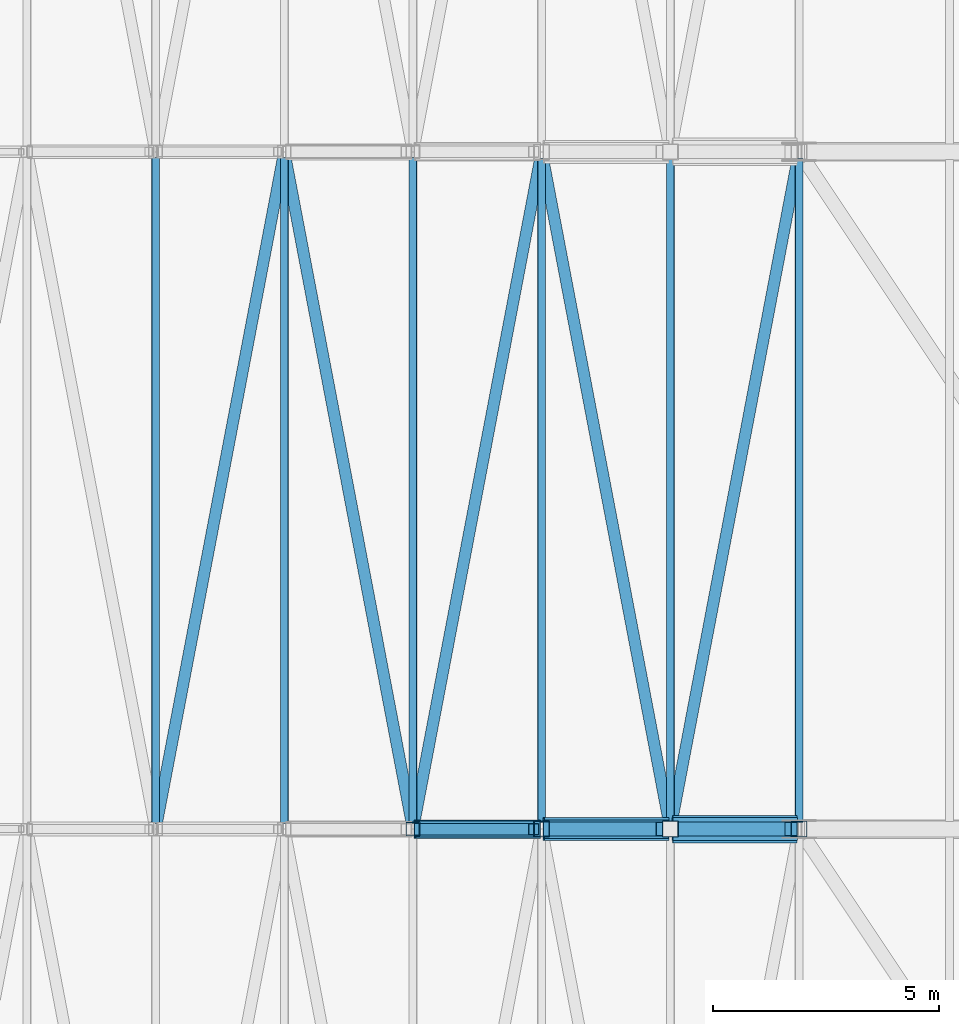
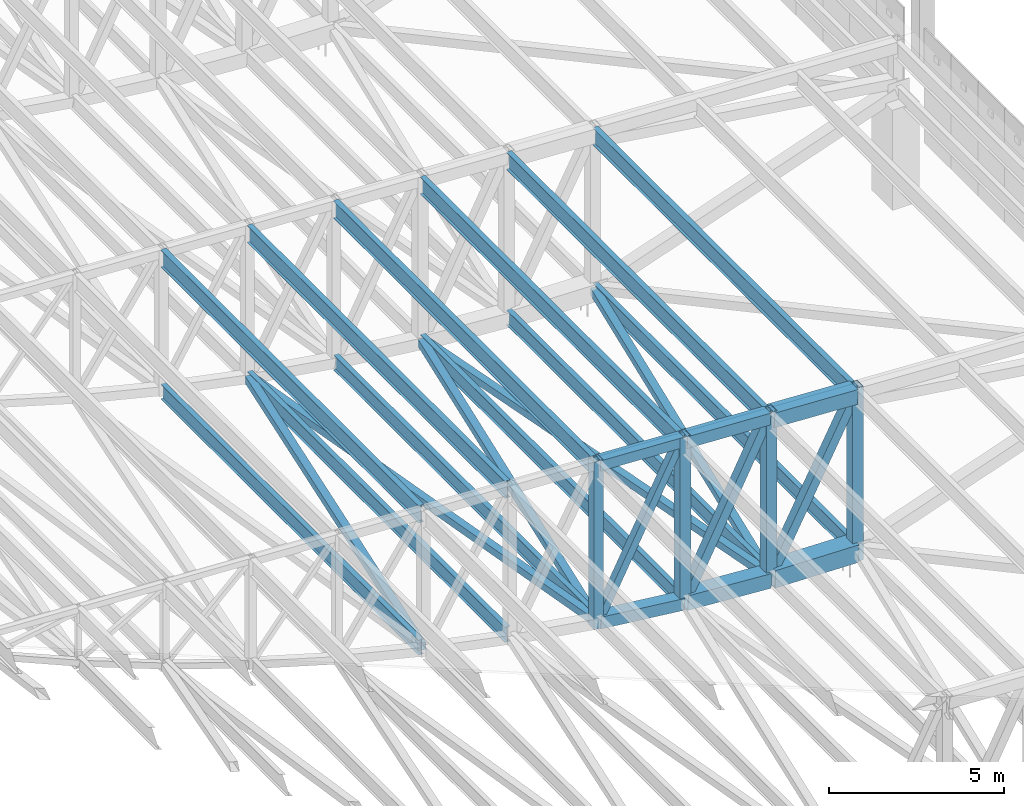
# One storey, part 54 of 278: 20 members, 10 beams.
"""IFC4 building model written with IfcOpenShell, lengths in metres."""

import ifcopenshell
import ifcopenshell.guid

model = None  # the IFC model being written
_history = None  # IfcOwnerHistory: only IFC2X3 demands one
_inside = {}  # id of a spatial element -> (the spatial element, [elements in it])
_under = {}  # id of a project, library or spatial element -> (it, [spatial elements below it])
_declared = {}  # id of a project -> (the project, [libraries it declares])
_typed = {}  # id of a type object -> (the type object, [elements of that type])
_made_of = {}  # id of a material, layer set ... -> (it, [elements and type objects made of it])


def new_model(schema):
    """Start an empty IFC model of exactly this schema.

    Asked for "IFC4X3", IfcOpenShell would pick the latest addendum, in which some entities
    have other attributes; the version numbers below select the first issue.
    IFC2X3 requires an IfcOwnerHistory on every rooted entity: one is made here for all.
    """
    global model, _history
    if schema == "IFC4X3":
        model = ifcopenshell.file(schema_version=(4, 3, 0, 0))
    else:
        model = ifcopenshell.file(schema=schema)
    _inside.clear()
    _under.clear()
    _declared.clear()
    _typed.clear()
    _made_of.clear()
    _history = None
    if model.schema == "IFC2X3":
        org = make("IfcOrganization", Name="unknown")
        user = make(
            "IfcPersonAndOrganization",
            ThePerson=make("IfcPerson", FamilyName="unknown"),
            TheOrganization=org,
        )
        app = make(
            "IfcApplication",
            ApplicationDeveloper=org,
            Version="unknown",
            ApplicationFullName="unknown",
            ApplicationIdentifier="unknown",
        )
        _history = make(
            "IfcOwnerHistory",
            OwningUser=user,
            OwningApplication=app,
            ChangeAction="ADDED",
            CreationDate=0,
        )
    return model


def make(cls, **values):
    """One entity of the class cls with the attributes given. An attribute that is None is left unset."""
    return model.create_entity(
        cls, **{name: value for name, value in values.items() if value is not None}
    )


def rooted(cls, **values):
    """An entity with a GlobalId (a new one), such as an element, a storey or a relation."""
    return make(cls, GlobalId=ifcopenshell.guid.new(), OwnerHistory=_history, **values)


def si_unit(unit_type, name, prefix=None):
    """IfcSIUnit, for example si_unit("LENGTHUNIT", "METRE", prefix="MILLI")."""
    return make("IfcSIUnit", UnitType=unit_type, Prefix=prefix, Name=name)


def assignment(units):
    """IfcUnitAssignment: the units of a project."""
    return None if units is None else make("IfcUnitAssignment", Units=units)


def point(xyz):
    """IfcCartesianPoint."""
    return None if xyz is None else make("IfcCartesianPoint", Coordinates=xyz)


def direction(xyz):
    """IfcDirection."""
    return None if xyz is None else make("IfcDirection", DirectionRatios=xyz)


def frame(location, z_axis=None, x_axis=None):
    """IfcAxis2Placement3D, a coordinate frame: its origin and axes. An axis left out is left unset."""
    return make(
        "IfcAxis2Placement3D",
        Location=point(location),
        Axis=direction(z_axis),
        RefDirection=direction(x_axis),
    )


def frame_2d(location, x_axis=None):
    """IfcAxis2Placement2D, a coordinate frame in the plane: its origin and x axis."""
    return make(
        "IfcAxis2Placement2D", Location=point(location), RefDirection=direction(x_axis)
    )


def origin():
    """The frame at (0, 0, 0) with its axes left unset."""
    return frame((0.0, 0.0, 0.0))


def origin_2d():
    """The frame at (0, 0) in the plane with its x axis left unset."""
    return frame_2d((0.0, 0.0))


def place(relative_to, where):
    """IfcLocalPlacement: puts the frame where relative to a parent placement (None: the world)."""
    return make(
        "IfcLocalPlacement", PlacementRelTo=relative_to, RelativePlacement=where
    )


def context(
    kind, dimensions, precision=None, world=None, true_north=None, identifier=None
):
    """IfcGeometricRepresentationContext, for example the 3D "Model" context."""
    return make(
        "IfcGeometricRepresentationContext",
        ContextIdentifier=identifier,
        ContextType=kind,
        CoordinateSpaceDimension=dimensions,
        Precision=precision,
        WorldCoordinateSystem=world,
        TrueNorth=true_north,
    )


def subcontext(parent, identifier, kind, view, scale=None):
    """IfcGeometricRepresentationSubContext, for example "Body" below "Model"."""
    return make(
        "IfcGeometricRepresentationSubContext",
        ContextIdentifier=identifier,
        ContextType=kind,
        ParentContext=parent,
        TargetScale=scale,
        TargetView=view,
    )


def project(units=None, contexts=None):
    """IfcProject with its units and contexts."""
    return rooted(
        "IfcProject",
        Name="project",
        RepresentationContexts=contexts,
        UnitsInContext=assignment(units),
    )


def spatial(cls, under=None, at=None, **own):
    """A site, building, storey or space (cls), placed at a placement, below another one or the project."""
    s = rooted(cls, ObjectPlacement=at, **own)
    if under is not None:
        _under.setdefault(under.id(), (under, []))[1].append(s)
    return s


def profile(cls, at=None, kind="AREA", **sizes):
    """A parametric profile (cls). Its sizes go by their IFC names, for example OverallWidth=200.0."""
    return make(cls, ProfileType=kind, Position=at, **sizes)


def hollow_rectangle(**sizes):
    """IfcRectangleHollowProfileDef."""
    return profile("IfcRectangleHollowProfileDef", **sizes)


def i_section(**sizes):
    """IfcIShapeProfileDef."""
    return profile("IfcIShapeProfileDef", **sizes)


def extrude(swept, where, along, depth):
    """IfcExtrudedAreaSolid: the profile swept, set in the frame where, extruded along a direction by depth."""
    return make(
        "IfcExtrudedAreaSolid",
        SweptArea=swept,
        Position=where,
        ExtrudedDirection=direction(along),
        Depth=depth,
    )


def shape(context_of_items, identifier, shape_type, items):
    """IfcShapeRepresentation: the items that make up one representation, for example the "Body"."""
    return make(
        "IfcShapeRepresentation",
        ContextOfItems=context_of_items,
        RepresentationIdentifier=identifier,
        RepresentationType=shape_type,
        Items=items,
    )


def material(Name=None, Category=None):
    """IfcMaterial."""
    return make("IfcMaterial", Name=Name, Category=Category)


def material_profile(
    of_material, cross_section, Name=None, Category=None, Priority=None
):
    """IfcMaterialProfile: a cross section and its material."""
    return make(
        "IfcMaterialProfile",
        Name=Name,
        Material=of_material,
        Profile=cross_section,
        Priority=Priority,
        Category=Category,
    )


def profile_set(profiles, Name=None, composite=None):
    """IfcMaterialProfileSet."""
    return make(
        "IfcMaterialProfileSet",
        Name=Name,
        MaterialProfiles=profiles,
        CompositeProfile=composite,
    )


def made_of(thing, what):
    """Note that an element or type object is made of a material, layer set ...; save() writes the relation."""
    if what is not None:
        _made_of.setdefault(what.id(), (what, []))[1].append(thing)
    return thing


def type_object(cls, material=None, **own):
    """A type object (cls), such as IfcWallType, which elements share."""
    return made_of(rooted(cls, **own), material)


def element(
    cls,
    number,
    at=None,
    inside=None,
    cuts=None,
    type_object=None,
    material=None,
    context=None,
    identifier="Body",
    shape_type=None,
    held_by="IfcProductDefinitionShape",
    body=None,
    shapes=None,
    **own,
):
    """One element of the class cls, such as IfcWall. Its Tag is "e" and its number.

    at: its placement. inside: the storey or other place that contains it. cuts: it is an
    opening in that element (IfcRelVoidsElement). A single representation is given by context,
    identifier, shape_type and body (its items); several are given by shapes. held_by: the class
    of the entity that holds the representations. save() writes the other relations.
    """
    e = rooted(cls, Tag="e%d" % number, ObjectPlacement=at, **own)
    if body is not None:
        shapes = [shape(context, identifier, shape_type, body)]
    if shapes is not None:
        e.Representation = make(held_by, Representations=shapes)
    if inside is not None:
        _inside.setdefault(inside.id(), (inside, []))[1].append(e)
    if cuts is not None:
        rooted(
            "IfcRelVoidsElement", RelatingBuildingElement=cuts, RelatedOpeningElement=e
        )
    if type_object is not None:
        _typed.setdefault(type_object.id(), (type_object, []))[1].append(e)
    return made_of(e, material)


def aggregate(whole, parts):
    """IfcRelAggregates: a whole, such as a stair, and the parts it consists of."""
    return rooted("IfcRelAggregates", RelatingObject=whole, RelatedObjects=parts)


def save(model, path):
    """Write the relations noted so far, then the file.

    IfcRelAggregates (storeys below a building ...), IfcRelContainedInSpatialStructure (elements
    in a storey), IfcRelDefinesByType, IfcRelAssociatesMaterial and IfcRelDeclares: one each for
    every whole, place, type object, material and project.
    """
    for whole, parts in _under.values():
        aggregate(whole, parts)
    for where, things in _inside.values():
        rooted(
            "IfcRelContainedInSpatialStructure",
            RelatedElements=things,
            RelatingStructure=where,
        )
    for kind, things in _typed.values():
        rooted("IfcRelDefinesByType", RelatedObjects=things, RelatingType=kind)
    for what, things in _made_of.values():
        rooted("IfcRelAssociatesMaterial", RelatedObjects=things, RelatingMaterial=what)
    for by, libraries in _declared.values():
        rooted("IfcRelDeclares", RelatingContext=by, RelatedDefinitions=libraries)
    model.write(path)


model = new_model("IFC4")

# Units and contexts
model_context = context("Model", 3, precision=1e-05, world=origin(), true_north=direction((0.0, 1.0)))
body_context = subcontext(model_context, "Body", "Model", "MODEL_VIEW")
ifc_project = project(units=[si_unit("LENGTHUNIT", "METRE"), si_unit("AREAUNIT", "SQUARE_METRE"), si_unit("VOLUMEUNIT", "CUBIC_METRE"), si_unit("PLANEANGLEUNIT", "RADIAN"), si_unit("MASSUNIT", "GRAM", prefix="KILO")], contexts=[model_context])

# Site, building, storey
site_placement = place(None, origin())
site = spatial("IfcSite", under=ifc_project, at=site_placement, CompositionType="ELEMENT")
building_placement = place(site_placement, origin())
building = spatial("IfcBuilding", under=site, at=building_placement, Name="Ogive Plaza Stadium", CompositionType="ELEMENT")
storey_placement = place(building_placement, frame((0.0, 0.0, 29.0)))
storey = spatial("IfcBuildingStorey", under=building, at=storey_placement, Name="Roof", CompositionType="ELEMENT", Elevation=29.0)

# Members
ifc_material_1 = material(Name="Steel ASTM A500 Grade C", Category="steel")
ifc_material_profile_1 = material_profile(ifc_material_1, hollow_rectangle(XDim=0.25390625, YDim=0.25390625, WallThickness=0.0087890625, at=origin_2d()), Name="HSS10X10X3/8")
ifc_profile_set_1 = profile_set([ifc_material_profile_1], Name="Steel ASTM A500 Grade C")
member_type_1 = type_object("IfcMemberType", Name="Roof plan brace HSS10X10X3/8", PredefinedType="BRACE", material=ifc_profile_set_1)
member_1_placement = place(storey_placement, frame((59.77783203125, -37.353271484375, 1.753173828125), z_axis=(0.186534960176, 0.981781820104, -0.036182403809), x_axis=(-0.982425109661, 0.186657182843, 0.0)))
element("IfcMember", 1, at=member_1_placement, inside=storey, type_object=member_type_1, Name="ROOF BRACE B06 6", PredefinedType="BRACE", context=body_context, shape_type="SweptSolid", body=[
    extrude(hollow_rectangle(XDim=0.25390625, YDim=0.25390625, WallThickness=0.0087890625, at=origin_2d()), origin(), (0.0, 0.0, 1.0), 14.9794921875),
])
member_2_placement = place(storey_placement, frame((62.6279296875, -22.646728515625, 1.20166015625), z_axis=(0.186585145076, -0.982045956233, -0.027779911508), x_axis=(0.982425109661, 0.186657182843, 0.0)))
element("IfcMember", 2, at=member_2_placement, inside=storey, type_object=member_type_1, Name="ROOF BRACE B06 7", PredefinedType="BRACE", context=body_context, shape_type="SweptSolid", body=[
    extrude(hollow_rectangle(XDim=0.25390625, YDim=0.25390625, WallThickness=0.0087890625, at=origin_2d()), origin(), (0.0, 0.0, 1.0), 14.975341796875),
])
member_3_placement = place(storey_placement, frame((65.477783203125, -37.353271484375, 0.77880859375), z_axis=(0.186639895054, 0.982268812283, -0.017706778071), x_axis=(-0.982422833867, 0.186669160538, 0.0)))
element("IfcMember", 3, at=member_3_placement, inside=storey, type_object=member_type_1, Name="ROOF BRACE B06 8", PredefinedType="BRACE", context=body_context, shape_type="SweptSolid", body=[
    extrude(hollow_rectangle(XDim=0.25390625, YDim=0.25390625, WallThickness=0.0087890625, at=origin_2d()), origin(), (0.0, 0.0, 1.0), 14.946044921875),
])
member_4_placement = place(storey_placement, frame((68.332763671875, -22.672119140625, 0.50927734375), z_axis=(0.186657320186, -0.982381109131, -0.009295226886), x_axis=(0.982423551356, 0.186665384421, 0.0)))
element("IfcMember", 4, at=member_4_placement, inside=storey, type_object=member_type_1, Name="ROOF BRACE B06 9", PredefinedType="BRACE", context=body_context, shape_type="SweptSolid", body=[
    extrude(hollow_rectangle(XDim=0.25390625, YDim=0.25390625, WallThickness=0.0087890625, at=origin_2d()), origin(), (0.0, 0.0, 1.0), 14.918701171875),
])
member_5_placement = place(storey_placement, frame((71.1826171875, -37.327880859375, 0.368408203125), z_axis=(0.186663720517, 0.982414794197, -0.004222272479), x_axis=(-0.982423551356, 0.186665384421, 0.0)))
element("IfcMember", 5, at=member_5_placement, inside=storey, type_object=member_type_1, Name="ROOF BRACE B06 10", PredefinedType="BRACE", context=body_context, shape_type="SweptSolid", body=[
    extrude(hollow_rectangle(XDim=0.25390625, YDim=0.25390625, WallThickness=0.0087890625, at=origin_2d()), origin(), (0.0, 0.0, 1.0), 14.918212890625),
])
ifc_material_2 = material(Name="Steel ASTM A992 Grade 50", Category="steel")
ifc_material_profile_2 = material_profile(ifc_material_2, i_section(OverallWidth=0.1650390625, OverallDepth=0.524658203125, WebThickness=0.0087890625, FlangeThickness=0.011474609375, at=origin_2d()), Name="W21X44")
ifc_profile_set_2 = profile_set([ifc_material_profile_2], Name="Steel ASTM A992 Grade 50")
member_type_2 = type_object("IfcMemberType", Name="Roof plan strut W21X44", PredefinedType="STRUT", material=ifc_profile_set_2)
for number, where, z_axis, x_axis, name in (
    (6, (59.75, -22.622314453125, 1.758544921875), (0.0, -1.0, 0.0), (1.0, 0.0, 0.0), "ROOF STRUT B06 5"),
    (7, (62.60009765625, -22.622314453125, 1.205810546875), (0.0, -1.0, 0.0), (1.0, 0.0, 0.0), "ROOF STRUT B06 6"),
    (8, (65.449951171875, -22.622314453125, 0.781494140625), (0.0, -1.0, 0.0), (1.0, 0.0, 0.0), "ROOF STRUT B06 7"),
):
    element("IfcMember", number, at=place(storey_placement, frame(where, z_axis=z_axis, x_axis=x_axis)), inside=storey, type_object=member_type_2, Name=name, PredefinedType="STRUT", context=body_context, shape_type="SweptSolid", body=[
        extrude(i_section(OverallWidth=0.1650390625, OverallDepth=0.524658203125, WebThickness=0.0087890625, FlangeThickness=0.011474609375, at=origin_2d()), origin(), (0.0, 0.0, 1.0), 14.75537109375),
    ])
for number, where, z_axis, x_axis, name in (
    (9, (68.300048828125, -22.647705078125, 0.510986328125), (0.0, -1.0, 0.0), (1.0, 0.0, 0.0), "ROOF STRUT B06 8"),
    (10, (71.14990234375, -22.647705078125, 0.369140625), (0.0, -1.0, 0.0), (1.0, 0.0, 0.0), "ROOF STRUT B06 9"),
    (11, (74.0, -22.647705078125, 0.3046875), (0.0, -1.0, 0.0), (1.0, 0.0, 0.0), "ROOF STRUT B06 10"),
):
    element("IfcMember", number, at=place(storey_placement, frame(where, z_axis=z_axis, x_axis=x_axis)), inside=storey, type_object=member_type_2, Name=name, PredefinedType="STRUT", context=body_context, shape_type="SweptSolid", body=[
        extrude(i_section(OverallWidth=0.1650390625, OverallDepth=0.524658203125, WebThickness=0.0087890625, FlangeThickness=0.011474609375, at=origin_2d()), origin(), (0.0, 0.0, 1.0), 14.70458984375),
    ])
ifc_material_3 = material(Name="Steel ASTM A992 Grade 50", Category="steel")
ifc_material_profile_3 = material_profile(ifc_material_3, i_section(OverallWidth=0.177978515625, OverallDepth=0.5986328125, WebThickness=0.010009765625, FlangeThickness=0.012939453125, at=origin_2d()), Name="W24X55")
ifc_profile_set_3 = profile_set([ifc_material_profile_3], Name="Steel ASTM A992 Grade 50")
member_type_3 = type_object("IfcMemberType", Name="Roof purlin W24X55", PredefinedType="PURLIN", material=ifc_profile_set_3)
for number, where, z_axis, x_axis, name in (
    (12, (59.75, -22.622314453125, 6.4130859375), (0.0, -1.0, 0.0), (1.0, 0.0, 0.0), "ROOF PURLIN B06 5"),
    (13, (62.60009765625, -22.622314453125, 6.270751953125), (0.0, -1.0, 0.0), (1.0, 0.0, 0.0), "ROOF PURLIN B06 6"),
    (14, (65.449951171875, -22.622314453125, 6.128173828125), (0.0, -1.0, 0.0), (1.0, 0.0, 0.0), "ROOF PURLIN B06 7"),
):
    element("IfcMember", number, at=place(storey_placement, frame(where, z_axis=z_axis, x_axis=x_axis)), inside=storey, type_object=member_type_3, Name=name, PredefinedType="PURLIN", context=body_context, shape_type="SweptSolid", body=[
        extrude(i_section(OverallWidth=0.177978515625, OverallDepth=0.5986328125, WebThickness=0.010009765625, FlangeThickness=0.012939453125, at=origin_2d()), origin(), (0.0, 0.0, 1.0), 14.75537109375),
    ])
for number, where, z_axis, x_axis, name in (
    (15, (68.300048828125, -22.647705078125, 5.985595703125), (0.0, -1.0, 0.0), (1.0, 0.0, 0.0), "ROOF PURLIN B06 8"),
    (16, (71.14990234375, -22.647705078125, 5.84326171875), (0.0, -1.0, 0.0), (1.0, 0.0, 0.0), "ROOF PURLIN B06 9"),
    (17, (74.0, -22.647705078125, 5.70068359375), (0.0, -1.0, 0.0), (1.0, 0.0, 0.0), "ROOF PURLIN B06 10"),
):
    element("IfcMember", number, at=place(storey_placement, frame(where, z_axis=z_axis, x_axis=x_axis)), inside=storey, type_object=member_type_3, Name=name, PredefinedType="PURLIN", context=body_context, shape_type="SweptSolid", body=[
        extrude(i_section(OverallWidth=0.177978515625, OverallDepth=0.5986328125, WebThickness=0.010009765625, FlangeThickness=0.012939453125, at=origin_2d()), origin(), (0.0, 0.0, 1.0), 14.70458984375),
    ])

# Beams
ifc_material_4 = material(Name="Steel ASTM A500 Grade C", Category="steel")
ifc_material_profile_4 = material_profile(ifc_material_4, hollow_rectangle(XDim=0.406494140625, YDim=0.406494140625, WallThickness=0.0146484375, at=origin_2d()), Name="HSS16X16X5/8")
ifc_profile_set_4 = profile_set([ifc_material_profile_4], Name="Steel ASTM A500 Grade C")
beam_type_1 = type_object("IfcBeamType", Name="Roof truss bottom chord HSS16X16X5/8", PredefinedType="BEAM", material=ifc_profile_set_4)
beam_1_placement = place(storey_placement, frame((65.5, -37.5, 0.777099609375), z_axis=(0.993703844406, 0.0, -0.112038696946), x_axis=(0.0, 1.0, 0.0)))
element("IfcBeam", 18, at=beam_1_placement, inside=storey, type_object=beam_type_1, Name="ROOF TRUSS T07 BOTTOM CHORD 8", PredefinedType="BEAM", context=body_context, shape_type="SweptSolid", body=[
    extrude(hollow_rectangle(XDim=0.406494140625, YDim=0.406494140625, WallThickness=0.0146484375, at=origin_2d()), origin(), (0.0, 0.0, 1.0), 2.767333984375),
])
ifc_material_5 = material(Name="Steel ASTM A500 Grade C", Category="steel")
ifc_material_profile_5 = material_profile(ifc_material_5, hollow_rectangle(XDim=0.508056640625, YDim=0.508056640625, WallThickness=0.0146484375, at=origin_2d()), Name="HSS20X20X5/8")
ifc_profile_set_5 = profile_set([ifc_material_profile_5], Name="Steel ASTM A500 Grade C")
beam_type_2 = type_object("IfcBeamType", Name="Roof truss bottom chord HSS20X20X5/8", PredefinedType="BEAM", material=ifc_profile_set_5)
beam_2_placement = place(storey_placement, frame((68.35009765625, -37.5, 0.50830078125), z_axis=(0.997719620387, 0.0, -0.06749488199), x_axis=(0.0, 1.0, 0.0)))
element("IfcBeam", 19, at=beam_2_placement, inside=storey, type_object=beam_type_2, Name="ROOF TRUSS T07 BOTTOM CHORD 9", PredefinedType="BEAM", context=body_context, shape_type="SweptSolid", body=[
    extrude(hollow_rectangle(XDim=0.508056640625, YDim=0.508056640625, WallThickness=0.0146484375, at=origin_2d()), origin(), (0.0, 0.0, 1.0), 2.75634765625),
])
ifc_material_6 = material(Name="Steel ASTM A500 Grade C", Category="steel")
ifc_material_profile_6 = material_profile(ifc_material_6, hollow_rectangle(XDim=0.609619140625, YDim=0.609619140625, WallThickness=0.0146484375, at=origin_2d()), Name="HSS24X24X5/8")
ifc_profile_set_6 = profile_set([ifc_material_profile_6], Name="Steel ASTM A500 Grade C")
beam_type_3 = type_object("IfcBeamType", Name="Roof truss bottom chord HSS24X24X5/8", PredefinedType="BEAM", material=ifc_profile_set_6)
beam_3_placement = place(storey_placement, frame((71.199951171875, -37.5, 0.367919921875), z_axis=(0.999745852076, 0.0, -0.022543984946), x_axis=(0.0, 1.0, 0.0)))
element("IfcBeam", 20, at=beam_3_placement, inside=storey, type_object=beam_type_3, Name="ROOF TRUSS T07 BOTTOM CHORD 10", PredefinedType="BEAM", context=body_context, shape_type="SweptSolid", body=[
    extrude(hollow_rectangle(XDim=0.609619140625, YDim=0.609619140625, WallThickness=0.0146484375, at=origin_2d()), origin(), (0.0, 0.0, 1.0), 2.750732421875),
])

# Members
ifc_material_7 = material(Name="Steel ASTM A500 Grade C", Category="steel")
ifc_material_profile_7 = material_profile(ifc_material_7, hollow_rectangle(XDim=0.25390625, YDim=0.25390625, WallThickness=0.0087890625, at=origin_2d()), Name="HSS10X10X3/8")
ifc_profile_set_7 = profile_set([ifc_material_profile_7], Name="Steel ASTM A500 Grade C")
member_type_4 = type_object("IfcMemberType", Name="Roof truss diagonal HSS10X10X3/8", PredefinedType="BRACE", material=ifc_profile_set_7)
member_6_placement = place(storey_placement, frame((65.602294921875, -37.5, 0.984619140625), z_axis=(0.454062843231, 0.0, 0.890969659639), x_axis=(0.0, 1.0, 0.0)))
element("IfcMember", 21, at=member_6_placement, inside=storey, type_object=member_type_4, Name="ROOF TRUSS T07 DIAGONAL 8", PredefinedType="BRACE", context=body_context, shape_type="SweptSolid", body=[
    extrude(hollow_rectangle(XDim=0.25390625, YDim=0.25390625, WallThickness=0.0087890625, at=origin_2d()), origin(), (0.0, 0.0, 1.0), 5.550048828125),
])
ifc_material_8 = material(Name="Steel ASTM A500 Grade C", Category="steel")
ifc_material_profile_8 = material_profile(ifc_material_8, hollow_rectangle(XDim=0.3046875, YDim=0.3046875, WallThickness=0.0087890625, at=origin_2d()), Name="HSS12X12X3/8")
ifc_profile_set_8 = profile_set([ifc_material_profile_8], Name="Steel ASTM A500 Grade C")
member_type_5 = type_object("IfcMemberType", Name="Roof truss diagonal HSS12X12X3/8", PredefinedType="BRACE", material=ifc_profile_set_8)
member_7_placement = place(storey_placement, frame((68.477783203125, -37.5, 0.764892578125), z_axis=(0.448477330766, 0.0, 0.893794206621), x_axis=(0.0, 1.0, 0.0)))
element("IfcMember", 22, at=member_7_placement, inside=storey, type_object=member_type_5, Name="ROOF TRUSS T07 DIAGONAL 9", PredefinedType="BRACE", context=body_context, shape_type="SweptSolid", body=[
    extrude(hollow_rectangle(XDim=0.3046875, YDim=0.3046875, WallThickness=0.0087890625, at=origin_2d()), origin(), (0.0, 0.0, 1.0), 5.56201171875),
])
member_8_placement = place(storey_placement, frame((71.327880859375, -37.5, 0.673828125), z_axis=(0.459750963822, 0.0, 0.888047887934), x_axis=(0.0, 1.0, 0.0)))
element("IfcMember", 23, at=member_8_placement, inside=storey, type_object=member_type_5, Name="ROOF TRUSS T07 DIAGONAL 10", PredefinedType="BRACE", context=body_context, shape_type="SweptSolid", body=[
    extrude(hollow_rectangle(XDim=0.3046875, YDim=0.3046875, WallThickness=0.0087890625, at=origin_2d()), origin(), (0.0, 0.0, 1.0), 5.425537109375),
])

# Beams
ifc_material_9 = material(Name="Steel ASTM A500 Grade C", Category="steel")
ifc_material_profile_9 = material_profile(ifc_material_9, hollow_rectangle(XDim=0.3046875, YDim=0.3046875, WallThickness=0.0146484375, at=origin_2d()), Name="HSS12X12X5/8")
ifc_profile_set_9 = profile_set([ifc_material_profile_9], Name="Steel ASTM A500 Grade C")
beam_type_4 = type_object("IfcBeamType", Name="Roof truss post HSS12X12X5/8", PredefinedType="BEAM", material=ifc_profile_set_9)
beam_4_placement = place(storey_placement, frame((65.449951171875, -37.5, 0.578369140625), z_axis=(0.0, 0.0, 1.0), x_axis=(0.0, 1.0, 0.0)))
element("IfcBeam", 24, at=beam_4_placement, inside=storey, type_object=beam_type_4, Name="ROOF TRUSS T07 POST 8", PredefinedType="BEAM", context=body_context, shape_type="SweptSolid", body=[
    extrude(hollow_rectangle(XDim=0.3046875, YDim=0.3046875, WallThickness=0.0146484375, at=origin_2d()), origin(), (0.0, 0.0, 1.0), 5.84912109375),
])
ifc_material_10 = material(Name="Steel ASTM A500 Grade C", Category="steel")
ifc_material_profile_10 = material_profile(ifc_material_10, hollow_rectangle(XDim=0.355712890625, YDim=0.355712890625, WallThickness=0.0146484375, at=origin_2d()), Name="HSS14X14X5/8")
ifc_profile_set_10 = profile_set([ifc_material_profile_10], Name="Steel ASTM A500 Grade C")
beam_type_5 = type_object("IfcBeamType", Name="Roof truss post HSS14X14X5/8", PredefinedType="BEAM", material=ifc_profile_set_10)
beam_5_placement = place(storey_placement, frame((68.300048828125, -37.5, 0.257080078125), z_axis=(0.0, 0.0, 1.0), x_axis=(0.0, 1.0, 0.0)))
element("IfcBeam", 25, at=beam_5_placement, inside=storey, type_object=beam_type_5, Name="ROOF TRUSS T07 POST 9", PredefinedType="BEAM", context=body_context, shape_type="SweptSolid", body=[
    extrude(hollow_rectangle(XDim=0.355712890625, YDim=0.355712890625, WallThickness=0.0146484375, at=origin_2d()), origin(), (0.0, 0.0, 1.0), 6.02783203125),
])
beam_6_placement = place(storey_placement, frame((71.14990234375, -37.5, 0.064208984375), z_axis=(0.0, 0.0, 1.0), x_axis=(0.0, 1.0, 0.0)))
element("IfcBeam", 26, at=beam_6_placement, inside=storey, type_object=beam_type_5, Name="ROOF TRUSS T07 POST 10", PredefinedType="BEAM", context=body_context, shape_type="SweptSolid", body=[
    extrude(hollow_rectangle(XDim=0.355712890625, YDim=0.355712890625, WallThickness=0.0146484375, at=origin_2d()), origin(), (0.0, 0.0, 1.0), 6.078369140625),
])
beam_7_placement = place(storey_placement, frame((74.0, -37.5, -0.06005859375), z_axis=(0.0, 0.0, 1.0), x_axis=(0.0, 1.0, 0.0)))
element("IfcBeam", 27, at=beam_7_placement, inside=storey, type_object=beam_type_5, Name="ROOF TRUSS T07 POST 11", PredefinedType="BEAM", context=body_context, shape_type="SweptSolid", body=[
    extrude(hollow_rectangle(XDim=0.355712890625, YDim=0.355712890625, WallThickness=0.0146484375, at=origin_2d()), origin(), (0.0, 0.0, 1.0), 6.06005859375),
])
ifc_material_11 = material(Name="Steel ASTM A500 Grade C", Category="steel")
ifc_material_profile_11 = material_profile(ifc_material_11, hollow_rectangle(XDim=0.355712890625, YDim=0.355712890625, WallThickness=0.01171875, at=origin_2d()), Name="HSS14X14X1/2")
ifc_profile_set_11 = profile_set([ifc_material_profile_11], Name="Steel ASTM A500 Grade C")
beam_type_6 = type_object("IfcBeamType", Name="Roof truss top chord HSS14X14X1/2", PredefinedType="BEAM", material=ifc_profile_set_11)
beam_8_placement = place(storey_placement, frame((65.5, -37.5, 6.2470703125), z_axis=(0.998748798523, 0.0, -0.05000837379), x_axis=(0.0, 1.0, 0.0)))
element("IfcBeam", 28, at=beam_8_placement, inside=storey, type_object=beam_type_6, Name="ROOF TRUSS T07 TOP CHORD 8", PredefinedType="BEAM", context=body_context, shape_type="SweptSolid", body=[
    extrude(hollow_rectangle(XDim=0.355712890625, YDim=0.355712890625, WallThickness=0.01171875, at=origin_2d()), origin(), (0.0, 0.0, 1.0), 2.75341796875),
])
ifc_material_12 = material(Name="Steel ASTM A500 Grade C", Category="steel")
ifc_material_profile_12 = material_profile(ifc_material_12, hollow_rectangle(XDim=0.406494140625, YDim=0.406494140625, WallThickness=0.01171875, at=origin_2d()), Name="HSS16X16X1/2")
ifc_profile_set_12 = profile_set([ifc_material_profile_12], Name="Steel ASTM A500 Grade C")
beam_type_7 = type_object("IfcBeamType", Name="Roof truss top chord HSS16X16X1/2", PredefinedType="BEAM", material=ifc_profile_set_12)
beam_9_placement = place(storey_placement, frame((68.35009765625, -37.5, 6.0791015625), z_axis=(0.998753223187, 0.0, -0.049919927615), x_axis=(0.0, 1.0, 0.0)))
element("IfcBeam", 29, at=beam_9_placement, inside=storey, type_object=beam_type_7, Name="ROOF TRUSS T07 TOP CHORD 9", PredefinedType="BEAM", context=body_context, shape_type="SweptSolid", body=[
    extrude(hollow_rectangle(XDim=0.406494140625, YDim=0.406494140625, WallThickness=0.01171875, at=origin_2d()), origin(), (0.0, 0.0, 1.0), 2.75341796875),
])
ifc_material_13 = material(Name="Steel ASTM A500 Grade C", Category="steel")
ifc_material_profile_13 = material_profile(ifc_material_13, hollow_rectangle(XDim=0.508056640625, YDim=0.508056640625, WallThickness=0.0146484375, at=origin_2d()), Name="HSS20X20X5/8")
ifc_profile_set_13 = profile_set([ifc_material_profile_13], Name="Steel ASTM A500 Grade C")
beam_type_8 = type_object("IfcBeamType", Name="Roof truss top chord HSS20X20X5/8", PredefinedType="BEAM", material=ifc_profile_set_13)
beam_10_placement = place(storey_placement, frame((71.199951171875, -37.5, 5.8857421875), z_axis=(0.998753223187, 0.0, -0.049919927615), x_axis=(0.0, 1.0, 0.0)))
element("IfcBeam", 30, at=beam_10_placement, inside=storey, type_object=beam_type_8, Name="ROOF TRUSS T07 TOP CHORD 10", PredefinedType="BEAM", context=body_context, shape_type="SweptSolid", body=[
    extrude(hollow_rectangle(XDim=0.508056640625, YDim=0.508056640625, WallThickness=0.0146484375, at=origin_2d()), origin(), (0.0, 0.0, 1.0), 2.75341796875),
])

save(model, "model.ifc")
